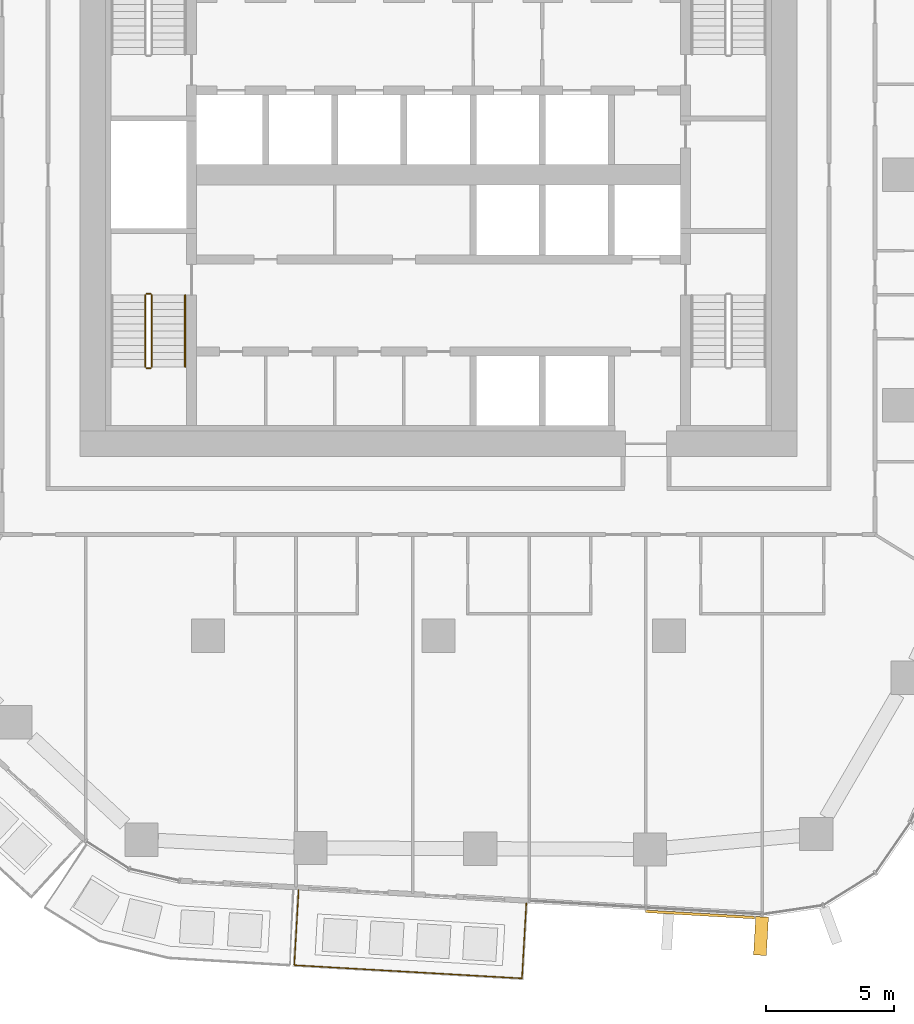
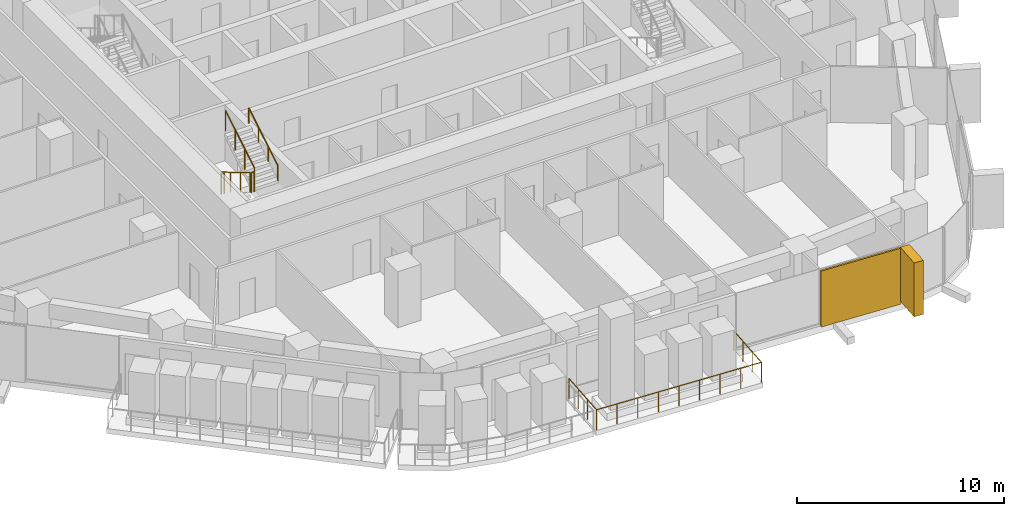
# One storey, part 20 of 24: 6 railings, 2 coverings, 1 element without a shape of its own.
"""IFC4 building model written with IfcOpenShell, lengths in metres."""

import ifcopenshell
import ifcopenshell.guid

model = None  # the IFC model being written
_history = None  # IfcOwnerHistory: only IFC2X3 demands one
_inside = {}  # id of a spatial element -> (the spatial element, [elements in it])
_under = {}  # id of a project, library or spatial element -> (it, [spatial elements below it])
_declared = {}  # id of a project -> (the project, [libraries it declares])
_typed = {}  # id of a type object -> (the type object, [elements of that type])
_made_of = {}  # id of a material, layer set ... -> (it, [elements and type objects made of it])


def new_model(schema):
    """Start an empty IFC model of exactly this schema.

    Asked for "IFC4X3", IfcOpenShell would pick the latest addendum, in which some entities
    have other attributes; the version numbers below select the first issue.
    IFC2X3 requires an IfcOwnerHistory on every rooted entity: one is made here for all.
    """
    global model, _history
    if schema == "IFC4X3":
        model = ifcopenshell.file(schema_version=(4, 3, 0, 0))
    else:
        model = ifcopenshell.file(schema=schema)
    _inside.clear()
    _under.clear()
    _declared.clear()
    _typed.clear()
    _made_of.clear()
    _history = None
    if model.schema == "IFC2X3":
        org = make("IfcOrganization", Name="unknown")
        user = make(
            "IfcPersonAndOrganization",
            ThePerson=make("IfcPerson", FamilyName="unknown"),
            TheOrganization=org,
        )
        app = make(
            "IfcApplication",
            ApplicationDeveloper=org,
            Version="unknown",
            ApplicationFullName="unknown",
            ApplicationIdentifier="unknown",
        )
        _history = make(
            "IfcOwnerHistory",
            OwningUser=user,
            OwningApplication=app,
            ChangeAction="ADDED",
            CreationDate=0,
        )
    return model


def make(cls, **values):
    """One entity of the class cls with the attributes given. An attribute that is None is left unset."""
    return model.create_entity(
        cls, **{name: value for name, value in values.items() if value is not None}
    )


def rooted(cls, **values):
    """An entity with a GlobalId (a new one), such as an element, a storey or a relation."""
    return make(cls, GlobalId=ifcopenshell.guid.new(), OwnerHistory=_history, **values)


def si_unit(unit_type, name, prefix=None):
    """IfcSIUnit, for example si_unit("LENGTHUNIT", "METRE", prefix="MILLI")."""
    return make("IfcSIUnit", UnitType=unit_type, Prefix=prefix, Name=name)


def assignment(units):
    """IfcUnitAssignment: the units of a project."""
    return None if units is None else make("IfcUnitAssignment", Units=units)


def point(xyz):
    """IfcCartesianPoint."""
    return None if xyz is None else make("IfcCartesianPoint", Coordinates=xyz)


def direction(xyz):
    """IfcDirection."""
    return None if xyz is None else make("IfcDirection", DirectionRatios=xyz)


def frame(location, z_axis=None, x_axis=None):
    """IfcAxis2Placement3D, a coordinate frame: its origin and axes. An axis left out is left unset."""
    return make(
        "IfcAxis2Placement3D",
        Location=point(location),
        Axis=direction(z_axis),
        RefDirection=direction(x_axis),
    )


def frame_2d(location, x_axis=None):
    """IfcAxis2Placement2D, a coordinate frame in the plane: its origin and x axis."""
    return make(
        "IfcAxis2Placement2D", Location=point(location), RefDirection=direction(x_axis)
    )


def origin():
    """The frame at (0, 0, 0) with its axes left unset."""
    return frame((0.0, 0.0, 0.0))


def origin_2d():
    """The frame at (0, 0) in the plane with its x axis left unset."""
    return frame_2d((0.0, 0.0))


def place(relative_to, where):
    """IfcLocalPlacement: puts the frame where relative to a parent placement (None: the world)."""
    return make(
        "IfcLocalPlacement", PlacementRelTo=relative_to, RelativePlacement=where
    )


def context(
    kind, dimensions, precision=None, world=None, true_north=None, identifier=None
):
    """IfcGeometricRepresentationContext, for example the 3D "Model" context."""
    return make(
        "IfcGeometricRepresentationContext",
        ContextIdentifier=identifier,
        ContextType=kind,
        CoordinateSpaceDimension=dimensions,
        Precision=precision,
        WorldCoordinateSystem=world,
        TrueNorth=true_north,
    )


def subcontext(parent, identifier, kind, view, scale=None):
    """IfcGeometricRepresentationSubContext, for example "Body" below "Model"."""
    return make(
        "IfcGeometricRepresentationSubContext",
        ContextIdentifier=identifier,
        ContextType=kind,
        ParentContext=parent,
        TargetScale=scale,
        TargetView=view,
    )


def project(units=None, contexts=None):
    """IfcProject with its units and contexts."""
    return rooted(
        "IfcProject",
        Name="project",
        RepresentationContexts=contexts,
        UnitsInContext=assignment(units),
    )


def spatial(cls, under=None, at=None, **own):
    """A site, building, storey or space (cls), placed at a placement, below another one or the project."""
    s = rooted(cls, ObjectPlacement=at, **own)
    if under is not None:
        _under.setdefault(under.id(), (under, []))[1].append(s)
    return s


def profile(cls, at=None, kind="AREA", **sizes):
    """A parametric profile (cls). Its sizes go by their IFC names, for example OverallWidth=200.0."""
    return make(cls, ProfileType=kind, Position=at, **sizes)


def rectangle(**sizes):
    """IfcRectangleProfileDef."""
    return profile("IfcRectangleProfileDef", **sizes)


def circle(**sizes):
    """IfcCircleProfileDef."""
    return profile("IfcCircleProfileDef", **sizes)


def extrude(swept, where, along, depth):
    """IfcExtrudedAreaSolid: the profile swept, set in the frame where, extruded along a direction by depth."""
    return make(
        "IfcExtrudedAreaSolid",
        SweptArea=swept,
        Position=where,
        ExtrudedDirection=direction(along),
        Depth=depth,
    )


def shape(context_of_items, identifier, shape_type, items):
    """IfcShapeRepresentation: the items that make up one representation, for example the "Body"."""
    return make(
        "IfcShapeRepresentation",
        ContextOfItems=context_of_items,
        RepresentationIdentifier=identifier,
        RepresentationType=shape_type,
        Items=items,
    )


def material(Name=None, Category=None):
    """IfcMaterial."""
    return make("IfcMaterial", Name=Name, Category=Category)


def layer(
    of_material, thickness, ventilated=None, Name=None, Category=None, Priority=None
):
    """IfcMaterialLayer: one layer of a wall or slab, of a material (None: an air gap)."""
    return make(
        "IfcMaterialLayer",
        Material=of_material,
        LayerThickness=thickness,
        IsVentilated=ventilated,
        Name=Name,
        Category=Category,
        Priority=Priority,
    )


def layer_set(layers, Name=None):
    """IfcMaterialLayerSet."""
    return make("IfcMaterialLayerSet", MaterialLayers=layers, LayerSetName=Name)


def material_profile(
    of_material, cross_section, Name=None, Category=None, Priority=None
):
    """IfcMaterialProfile: a cross section and its material."""
    return make(
        "IfcMaterialProfile",
        Name=Name,
        Material=of_material,
        Profile=cross_section,
        Priority=Priority,
        Category=Category,
    )


def profile_set(profiles, Name=None, composite=None):
    """IfcMaterialProfileSet."""
    return make(
        "IfcMaterialProfileSet",
        Name=Name,
        MaterialProfiles=profiles,
        CompositeProfile=composite,
    )


def made_of(thing, what):
    """Note that an element or type object is made of a material, layer set ...; save() writes the relation."""
    if what is not None:
        _made_of.setdefault(what.id(), (what, []))[1].append(thing)
    return thing


def type_object(cls, material=None, **own):
    """A type object (cls), such as IfcWallType, which elements share."""
    return made_of(rooted(cls, **own), material)


def element(
    cls,
    number,
    at=None,
    inside=None,
    cuts=None,
    type_object=None,
    material=None,
    context=None,
    identifier="Body",
    shape_type=None,
    held_by="IfcProductDefinitionShape",
    body=None,
    shapes=None,
    **own,
):
    """One element of the class cls, such as IfcWall. Its Tag is "e" and its number.

    at: its placement. inside: the storey or other place that contains it. cuts: it is an
    opening in that element (IfcRelVoidsElement). A single representation is given by context,
    identifier, shape_type and body (its items); several are given by shapes. held_by: the class
    of the entity that holds the representations. save() writes the other relations.
    """
    e = rooted(cls, Tag="e%d" % number, ObjectPlacement=at, **own)
    if body is not None:
        shapes = [shape(context, identifier, shape_type, body)]
    if shapes is not None:
        e.Representation = make(held_by, Representations=shapes)
    if inside is not None:
        _inside.setdefault(inside.id(), (inside, []))[1].append(e)
    if cuts is not None:
        rooted(
            "IfcRelVoidsElement", RelatingBuildingElement=cuts, RelatedOpeningElement=e
        )
    if type_object is not None:
        _typed.setdefault(type_object.id(), (type_object, []))[1].append(e)
    return made_of(e, material)


def aggregate(whole, parts):
    """IfcRelAggregates: a whole, such as a stair, and the parts it consists of."""
    return rooted("IfcRelAggregates", RelatingObject=whole, RelatedObjects=parts)


def save(model, path):
    """Write the relations noted so far, then the file.

    IfcRelAggregates (storeys below a building ...), IfcRelContainedInSpatialStructure (elements
    in a storey), IfcRelDefinesByType, IfcRelAssociatesMaterial and IfcRelDeclares: one each for
    every whole, place, type object, material and project.
    """
    for whole, parts in _under.values():
        aggregate(whole, parts)
    for where, things in _inside.values():
        rooted(
            "IfcRelContainedInSpatialStructure",
            RelatedElements=things,
            RelatingStructure=where,
        )
    for kind, things in _typed.values():
        rooted("IfcRelDefinesByType", RelatedObjects=things, RelatingType=kind)
    for what, things in _made_of.values():
        rooted("IfcRelAssociatesMaterial", RelatedObjects=things, RelatingMaterial=what)
    for by, libraries in _declared.values():
        rooted("IfcRelDeclares", RelatingContext=by, RelatedDefinitions=libraries)
    model.write(path)


model = new_model("IFC4")

# Units and contexts
model_context = context("Model", 3, precision=1e-05, world=origin(), true_north=direction((0.0, 1.0)))
body_context = subcontext(model_context, "Body", "Model", "MODEL_VIEW")
ifc_project = project(units=[si_unit("LENGTHUNIT", "METRE"), si_unit("AREAUNIT", "SQUARE_METRE"), si_unit("VOLUMEUNIT", "CUBIC_METRE"), si_unit("PLANEANGLEUNIT", "RADIAN"), si_unit("MASSUNIT", "GRAM", prefix="KILO")], contexts=[model_context])

# Site, building, storey
site_placement = place(None, origin())
site = spatial("IfcSite", under=ifc_project, at=site_placement, CompositionType="ELEMENT")
building_placement = place(site_placement, origin())
building = spatial("IfcBuilding", under=site, at=building_placement, Name="Dongbaek Canopy Tower", CompositionType="ELEMENT")
storey_placement = place(building_placement, frame((0.0, 0.0, 124.800048828125)))
storey = spatial("IfcBuildingStorey", under=building, at=storey_placement, Name="L27", CompositionType="ELEMENT", Elevation=124.800048828125)

# Railing
ifc_material_1 = material(Name="Stainless steel", Category="steel")
railing_type_1 = type_object("IfcRailingType", Name="Balcony balustrade 1200", PredefinedType="BALUSTRADE", material=ifc_material_1)
railing_1_placement = place(storey_placement, frame((-5.463134765625, -27.936767578125, 0.0)))
element("IfcRailing", 1, at=railing_1_placement, inside=storey, type_object=railing_type_1, Name="Balcony guard L27 4", PredefinedType="BALUSTRADE", context=body_context, shape_type="SweptSolid", body=[
    extrude(circle(Radius=0.02392578125, at=origin_2d()), frame((0.0, 0.0, 1.17578125), z_axis=(-0.057714318081, -0.998333139532, 0.0), x_axis=(0.998333139532, -0.057714318081, 0.0)), (0.0, 0.0, 1.0), 2.93994140625),
    extrude(circle(Radius=0.02392578125, at=origin_2d()), frame((-0.169677734375, -2.93505859375, 1.17578125), z_axis=(0.998331079931, -0.057749933709, 0.0), x_axis=(0.057749933709, 0.998331079931, 0.0)), (0.0, 0.0, 1.0), 8.907470703125),
    extrude(circle(Radius=0.02392578125, at=origin_2d()), frame((8.722900390625, -3.449462890625, 1.17578125), z_axis=(0.057797083062, 0.99832835139, 0.0), x_axis=(-0.99832835139, 0.057797083062, 0.0)), (0.0, 0.0, 1.0), 2.93994140625),
    extrude(circle(Radius=0.02099609375, at=origin_2d()), origin(), (0.0, 0.0, 1.0), 1.15185546875),
    extrude(circle(Radius=0.02099609375, at=origin_2d()), frame((-0.056640625, -0.978271484375, 0.0)), (0.0, 0.0, 1.0), 1.15185546875),
    extrude(circle(Radius=0.02099609375, at=origin_2d()), frame((-0.113037109375, -1.956787109375, 0.0)), (0.0, 0.0, 1.0), 1.15185546875),
    extrude(circle(Radius=0.02099609375, at=origin_2d()), frame((-0.169677734375, -2.93505859375, 0.0)), (0.0, 0.0, 1.0), 1.15185546875),
    extrude(circle(Radius=0.02099609375, at=origin_2d()), frame((0.94189453125, -2.999267578125, 0.0)), (0.0, 0.0, 1.0), 1.15185546875),
    extrude(circle(Radius=0.02099609375, at=origin_2d()), frame((2.053466796875, -3.063720703125, 0.0)), (0.0, 0.0, 1.0), 1.15185546875),
    extrude(circle(Radius=0.02099609375, at=origin_2d()), frame((3.1650390625, -3.1279296875, 0.0)), (0.0, 0.0, 1.0), 1.15185546875),
    extrude(circle(Radius=0.02099609375, at=origin_2d()), frame((4.276611328125, -3.1923828125, 0.0)), (0.0, 0.0, 1.0), 1.15185546875),
    extrude(circle(Radius=0.02099609375, at=origin_2d()), frame((5.38818359375, -3.256591796875, 0.0)), (0.0, 0.0, 1.0), 1.15185546875),
    extrude(circle(Radius=0.02099609375, at=origin_2d()), frame((6.499755859375, -3.32080078125, 0.0)), (0.0, 0.0, 1.0), 1.15185546875),
    extrude(circle(Radius=0.02099609375, at=origin_2d()), frame((7.611328125, -3.38525390625, 0.0)), (0.0, 0.0, 1.0), 1.15185546875),
    extrude(circle(Radius=0.02099609375, at=origin_2d()), frame((8.722900390625, -3.449462890625, 0.0)), (0.0, 0.0, 1.0), 1.15185546875),
    extrude(circle(Radius=0.02099609375, at=origin_2d()), frame((8.779541015625, -2.47119140625, 0.0)), (0.0, 0.0, 1.0), 1.15185546875),
    extrude(circle(Radius=0.02099609375, at=origin_2d()), frame((8.836181640625, -1.49267578125, 0.0)), (0.0, 0.0, 1.0), 1.15185546875),
    extrude(circle(Radius=0.02099609375, at=origin_2d()), frame((8.892822265625, -0.514404296875, 0.0)), (0.0, 0.0, 1.0), 1.15185546875),
])

# Curtain wall, coverings
ifc_material_2 = material(Name="Aluminium 6063-T6 pale anodised", Category="aluminium")
ifc_layer_1 = layer(ifc_material_2, 0.199951171875)
ifc_layer_set_1 = layer_set([ifc_layer_1], Name="CW-1 unitised tower curtain wall")
curtain_wall_type = type_object("IfcCurtainWallType", Name="CW-1 unitised tower curtain wall", PredefinedType="NOTDEFINED", material=ifc_layer_set_1)
curtain_wall_placement = place(storey_placement, origin())
curtain_wall = element("IfcCurtainWall", 2, at=curtain_wall_placement, inside=storey, type_object=curtain_wall_type, Name="CW-1 curtain wall F4.1", PredefinedType="NOTDEFINED")
ifc_material_3 = material(Name="Perforated aluminium 6063-T6 pale metal screen", Category="aluminium")
ifc_layer_2 = layer(ifc_material_3, 0.10009765625)
ifc_layer_set_2 = layer_set([ifc_layer_2], Name="Facet screen FS1 100 pale metal")
covering_type_1 = type_object("IfcCoveringType", Name="Facet screen FS1 100 pale metal", PredefinedType="CLADDING", material=ifc_layer_set_2)
covering_1_placement = place(storey_placement, frame((10.214111328125, -28.889892578125, 0.0), z_axis=(0.0, 0.0, 1.0), x_axis=(0.998330847517, -0.057753951351, 0.0)))
covering_1 = element("IfcCovering", 3, at=covering_1_placement, type_object=covering_type_1, Name="Facet screen L27 F4", PredefinedType="CLADDING", context=body_context, shape_type="SweptSolid", body=[
    extrude(rectangle(XDim=4.277587890625, YDim=0.10009765625, at=origin_2d()), origin(), (0.0, 0.0, 1.0), 3.300048828125),
])
ifc_material_4 = material(Name="Aluminium 6063-T6 pale metal fin", Category="aluminium")
ifc_material_profile = material_profile(ifc_material_4, rectangle(XDim=1.5, YDim=0.5, at=origin_2d()), Name="Fin FN1 500 x 1500 pale metal")
ifc_profile_set = profile_set([ifc_material_profile], Name="Aluminium 6063-T6 pale metal fin")
covering_type_2 = type_object("IfcCoveringType", Name="Fin FN1 500 x 1500 pale metal", PredefinedType="CLADDING", material=ifc_profile_set)
covering_2_placement = place(storey_placement, frame((12.59814453125, -29.73291015625, 0.119873046875), z_axis=(0.0, 0.0, 1.0), x_axis=(-0.057753163239, -0.998330893109, 0.0)))
covering_2 = element("IfcCovering", 4, at=covering_2_placement, type_object=covering_type_2, Name="Fin F4.1.3", PredefinedType="CLADDING", context=body_context, shape_type="SweptSolid", body=[
    extrude(rectangle(XDim=1.5, YDim=0.5, at=origin_2d()), origin(), (0.0, 0.0, 1.0), 3.18017578125),
])
aggregate(curtain_wall, [covering_2, covering_1])

# Railings
ifc_material_5 = material(Name="Stainless steel tube and balusters", Category="steel")
railing_type_2 = type_object("IfcRailingType", Name="Stair guard 1200", PredefinedType="GUARDRAIL", material=ifc_material_5)
railing_2_placement = place(storey_placement, frame((-11.449951171875, -4.699951171875, 0.168212890625)))
element("IfcRailing", 5, at=railing_2_placement, inside=storey, type_object=railing_type_2, Name="L27 ST-D stair guard 1", PredefinedType="GUARDRAIL", context=body_context, shape_type="SweptSolid", body=[
    extrude(circle(Radius=0.02392578125, at=origin_2d()), frame((0.0, 0.0, 1.17578125), z_axis=(0.0, -0.857275202839, 0.514858452973), x_axis=(1.0, 0.0, 0.0)), (0.0, 0.0, 1.0), 3.26611328125),
    extrude(circle(Radius=0.02099609375, at=origin_2d()), origin(), (0.0, 0.0, 1.0), 1.15185546875),
    extrude(circle(Radius=0.02099609375, at=origin_2d()), frame((0.0, -0.933349609375, 0.560546875)), (0.0, 0.0, 1.0), 1.15185546875),
    extrude(circle(Radius=0.02099609375, at=origin_2d()), frame((0.0, -1.86669921875, 1.12109375)), (0.0, 0.0, 1.0), 1.15185546875),
    extrude(circle(Radius=0.02099609375, at=origin_2d()), frame((0.0, -2.800048828125, 1.681640625)), (0.0, 0.0, 1.0), 1.15185546875),
])
railing_3_placement = place(storey_placement, frame((-11.39990234375, -7.550048828125, 1.849853515625)))
element("IfcRailing", 6, at=railing_3_placement, inside=storey, type_object=railing_type_2, Name="L27 ST-D stair guard 2", PredefinedType="GUARDRAIL", context=body_context, shape_type="SweptSolid", body=[
    extrude(circle(Radius=0.02392578125, at=origin_2d()), frame((0.0, 0.0, 1.17578125), z_axis=(1.0, 0.0, 0.0), x_axis=(0.0, 1.0, 0.0)), (0.0, 0.0, 1.0), 0.14990234375),
    extrude(circle(Radius=0.02099609375, at=origin_2d()), origin(), (0.0, 0.0, 1.0), 1.15185546875),
    extrude(circle(Radius=0.02099609375, at=origin_2d()), frame((0.14990234375, 0.0, 0.0)), (0.0, 0.0, 1.0), 1.15185546875),
])
railing_4_placement = place(storey_placement, frame((-11.199951171875, -7.5, 2.01806640625)))
element("IfcRailing", 7, at=railing_4_placement, inside=storey, type_object=railing_type_2, Name="L27 ST-D stair guard 3", PredefinedType="GUARDRAIL", context=body_context, shape_type="SweptSolid", body=[
    extrude(circle(Radius=0.02392578125, at=origin_2d()), frame((0.0, 0.0, 1.17578125), z_axis=(0.0, 0.857242210791, 0.514913383045), x_axis=(-1.0, 0.0, 0.0)), (0.0, 0.0, 1.0), 3.266357421875),
    extrude(circle(Radius=0.02099609375, at=origin_2d()), origin(), (0.0, 0.0, 1.0), 1.15185546875),
    extrude(circle(Radius=0.02099609375, at=origin_2d()), frame((0.0, 0.933349609375, 0.560546875)), (0.0, 0.0, 1.0), 1.15185546875),
    extrude(circle(Radius=0.02099609375, at=origin_2d()), frame((0.0, 1.86669921875, 1.121337890625)), (0.0, 0.0, 1.0), 1.15185546875),
    extrude(circle(Radius=0.02099609375, at=origin_2d()), frame((0.0, 2.800048828125, 1.681884765625)), (0.0, 0.0, 1.0), 1.15185546875),
])
railing_5_placement = place(storey_placement, frame((-11.39990234375, -4.64990234375, 0.0)))
element("IfcRailing", 8, at=railing_5_placement, inside=storey, type_object=railing_type_2, Name="L27 ST-D stair guard 4", PredefinedType="GUARDRAIL", context=body_context, shape_type="SweptSolid", body=[
    extrude(circle(Radius=0.02392578125, at=origin_2d()), frame((0.0, 0.0, 1.17578125), z_axis=(1.0, 0.0, 0.0), x_axis=(0.0, 1.0, 0.0)), (0.0, 0.0, 1.0), 0.14990234375),
    extrude(circle(Radius=0.02099609375, at=origin_2d()), origin(), (0.0, 0.0, 1.0), 1.15185546875),
    extrude(circle(Radius=0.02099609375, at=origin_2d()), frame((0.14990234375, 0.0, 0.0)), (0.0, 0.0, 1.0), 1.15185546875),
])
ifc_material_6 = material(Name="Stainless steel tube", Category="steel")
railing_type_3 = type_object("IfcRailingType", Name="Stair handrail 900", PredefinedType="HANDRAIL", material=ifc_material_6)
railing_6_placement = place(storey_placement, frame((-9.89990234375, -7.5, 2.01806640625)))
element("IfcRailing", 9, at=railing_6_placement, inside=storey, type_object=railing_type_3, Name="L27 ST-D stair handrail 2", PredefinedType="HANDRAIL", context=body_context, shape_type="SweptSolid", body=[
    extrude(circle(Radius=0.02392578125, at=origin_2d()), frame((0.0, 0.0, 0.8759765625), z_axis=(0.0, 0.857242210791, 0.514913383045), x_axis=(-1.0, 0.0, 0.0)), (0.0, 0.0, 1.0), 3.266357421875),
    extrude(circle(Radius=0.02099609375, at=origin_2d()), origin(), (0.0, 0.0, 1.0), 0.851806640625),
    extrude(circle(Radius=0.02099609375, at=origin_2d()), frame((0.0, 0.933349609375, 0.560546875)), (0.0, 0.0, 1.0), 0.851806640625),
    extrude(circle(Radius=0.02099609375, at=origin_2d()), frame((0.0, 1.86669921875, 1.121337890625)), (0.0, 0.0, 1.0), 0.851806640625),
    extrude(circle(Radius=0.02099609375, at=origin_2d()), frame((0.0, 2.800048828125, 1.681884765625)), (0.0, 0.0, 1.0), 0.851806640625),
])

save(model, "model.ifc")
